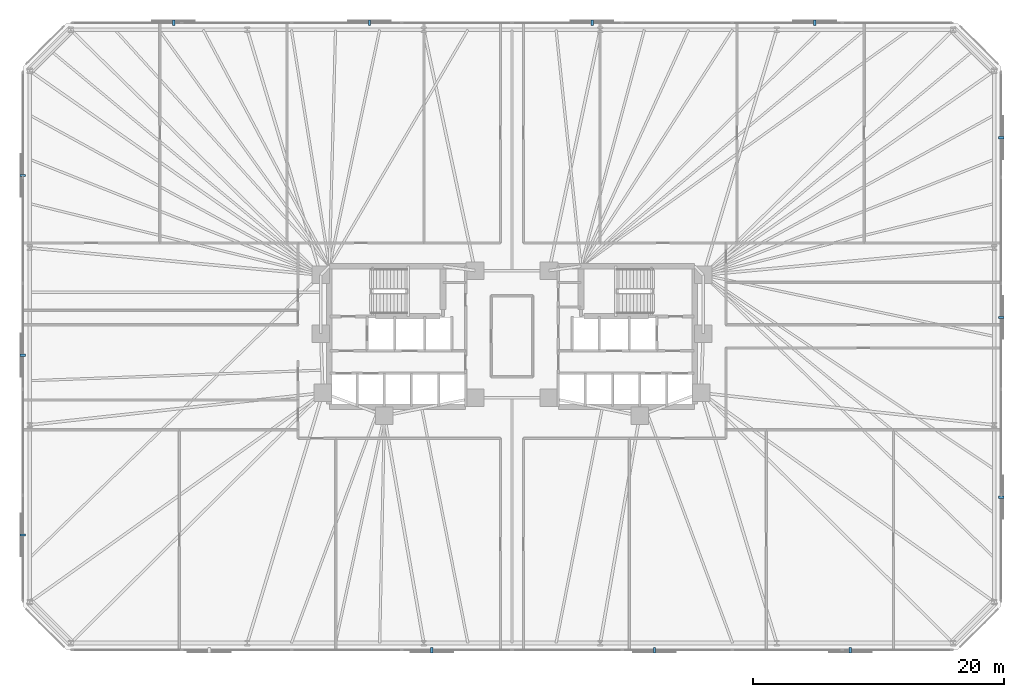
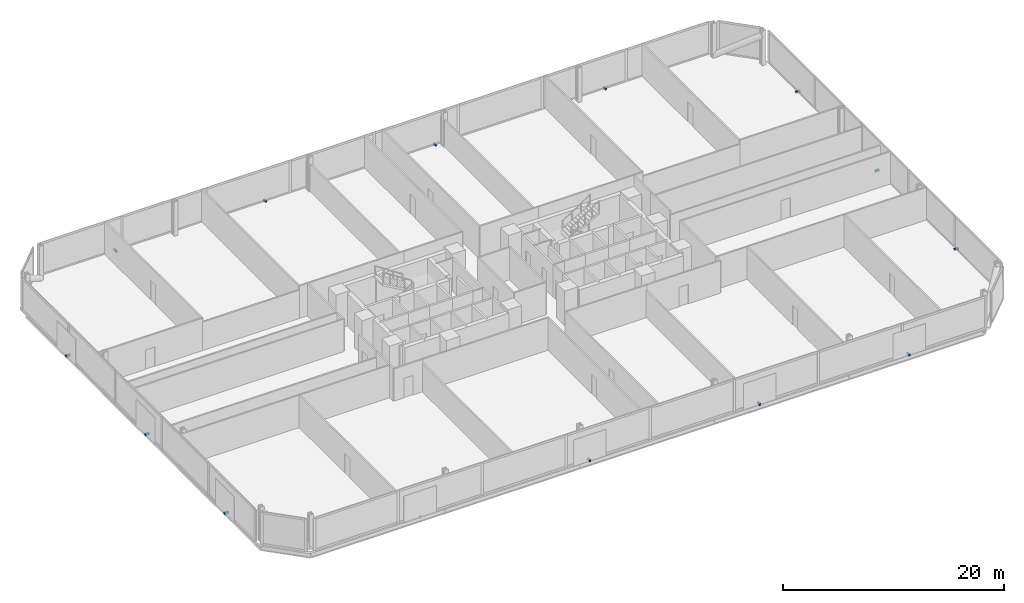
# One storey, part 16 of 17: 13 discrete accessories.
"""IFC4 building model written with IfcOpenShell, lengths in metres."""

from ifc_helpers import new_model, si_unit, direction, frame, origin, origin_2d, place, context, subcontext, project, spatial, rectangle, extrude, material, type_object, element, save


model = new_model("IFC4")

# Units and contexts
model_context = context("Model", 3, precision=1e-05, world=origin(), true_north=direction((0.0, 1.0)))
body_context = subcontext(model_context, "Body", "Model", "MODEL_VIEW")
ifc_project = project(units=[si_unit("LENGTHUNIT", "METRE"), si_unit("AREAUNIT", "SQUARE_METRE"), si_unit("VOLUMEUNIT", "CUBIC_METRE"), si_unit("PLANEANGLEUNIT", "RADIAN"), si_unit("MASSUNIT", "GRAM", prefix="KILO")], contexts=[model_context])

# Site, building, storey
site_placement = place(None, origin())
site = spatial("IfcSite", under=ifc_project, at=site_placement, CompositionType="ELEMENT")
building_placement = place(site_placement, origin())
building = spatial("IfcBuilding", under=site, at=building_placement, Name="Menara Jurai Vektor", CompositionType="ELEMENT")
storey_placement = place(building_placement, frame((0.0, 0.0, 25.60009765625)))
storey = spatial("IfcBuildingStorey", under=building, at=storey_placement, Name="L05", CompositionType="ELEMENT", Elevation=25.60009765625)

# Discrete accessories
ifc_material = material(Name="Steel S355", Category="steel")
discrete_accessory_type = type_object("IfcDiscreteAccessoryType", Name="ENV-ACC-BRACKET", PredefinedType="BRACKET", material=ifc_material)
for number, where, z_axis, x_axis, name in (
    (1, (-6.389892578125, -25.010009765625, -0.1298828125), (0.0, 0.0, 1.0), (1.0, 0.0, 0.0), "Solar Screen Stand-Off Bracket L05-S02"),
    (2, (11.360107421875, -25.010009765625, -0.1298828125), (0.0, 0.0, 1.0), (1.0, 0.0, 0.0), "Solar Screen Stand-Off Bracket L05-S03"),
    (3, (26.97998046875, -25.010009765625, -0.1298828125), (0.0, 0.0, 1.0), (1.0, 0.0, 0.0), "Solar Screen Stand-Off Bracket L05-S04"),
    (4, (39.010009765625, -12.828369140625, -0.1298828125), (0.0, 0.0, 1.0), (0.0, 1.0, 0.0), "Solar Screen Stand-Off Bracket L05-S05"),
    (5, (39.010009765625, 1.5048828125, -0.1298828125), (0.0, 0.0, 1.0), (0.0, 1.0, 0.0), "Solar Screen Stand-Off Bracket L05-S06"),
    (6, (39.010009765625, 15.83837890625, -0.1298828125), (0.0, 0.0, 1.0), (0.0, 1.0, 0.0), "Solar Screen Stand-Off Bracket L05-S07"),
    (7, (24.139892578125, 25.010009765625, -0.1298828125), (0.0, 0.0, 1.0), (-1.0, 0.0, 0.0), "Solar Screen Stand-Off Bracket L05-S08"),
    (8, (6.389892578125, 25.010009765625, -0.1298828125), (0.0, 0.0, 1.0), (-1.0, 0.0, 0.0), "Solar Screen Stand-Off Bracket L05-S09"),
    (9, (-11.360107421875, 25.010009765625, -0.1298828125), (0.0, 0.0, 1.0), (-1.0, 0.0, 0.0), "Solar Screen Stand-Off Bracket L05-S10"),
    (10, (-26.97998046875, 25.010009765625, -0.1298828125), (0.0, 0.0, 1.0), (-1.0, 0.0, 0.0), "Solar Screen Stand-Off Bracket L05-S11"),
    (11, (-39.010009765625, 12.828369140625, -0.1298828125), (0.0, 0.0, 1.0), (0.0, -1.0, 0.0), "Solar Screen Stand-Off Bracket L05-S12"),
    (12, (-39.010009765625, -1.5048828125, -0.1298828125), (0.0, 0.0, 1.0), (0.0, -1.0, 0.0), "Solar Screen Stand-Off Bracket L05-S13"),
    (13, (-39.010009765625, -15.83837890625, -0.1298828125), (0.0, 0.0, 1.0), (0.0, -1.0, 0.0), "Solar Screen Stand-Off Bracket L05-S14"),
):
    element("IfcDiscreteAccessory", number, at=place(storey_placement, frame(where, z_axis=z_axis, x_axis=x_axis)), inside=storey, type_object=discrete_accessory_type, Name=name, PredefinedType="BRACKET", context=body_context, shape_type="SweptSolid", body=[
        extrude(rectangle(XDim=0.179931640625, YDim=0.43994140625, at=origin_2d()), origin(), (0.0, 0.0, 1.0), 0.219970703125),
    ])

save(model, "model.ifc")
